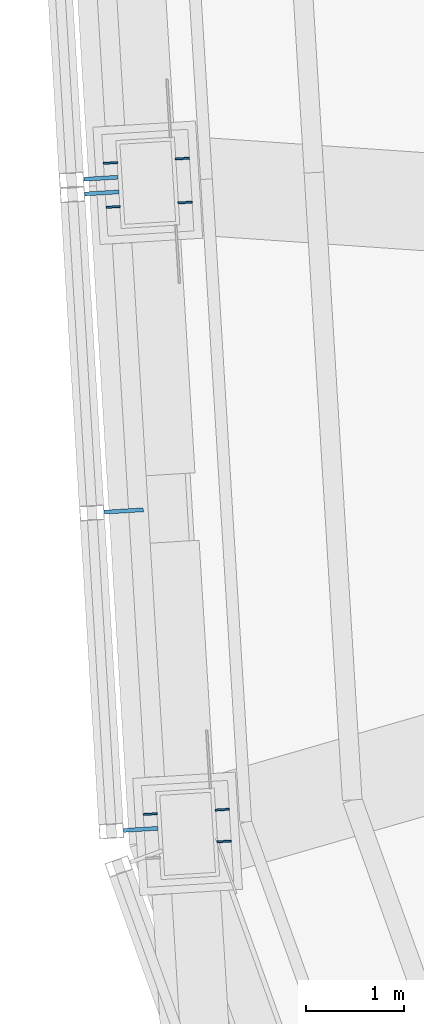
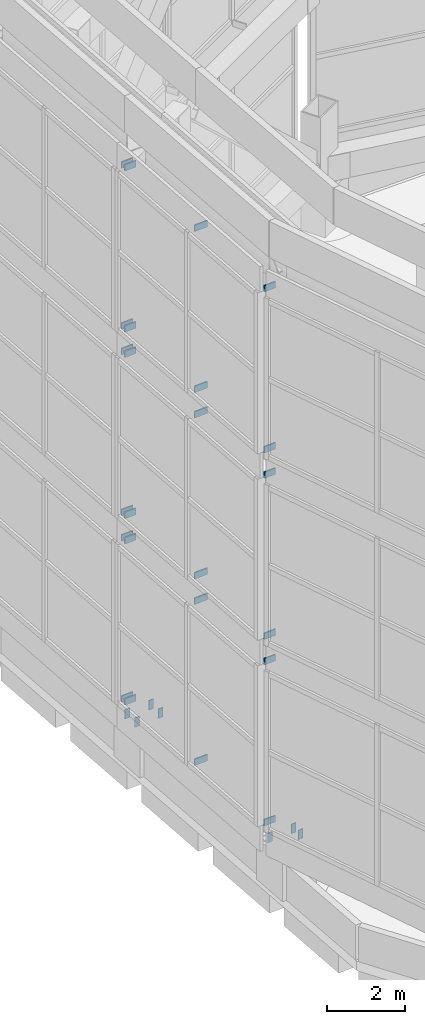
# One storey, part 33 of 46: 31 discrete accessories.
"""IFC4 building model written with IfcOpenShell, lengths in metres."""

from ifc_helpers import new_model, si_unit, direction, frame, origin, origin_2d, place, context, subcontext, project, spatial, rectangle, extrude, material, layer, layer_set, type_object, element, save


model = new_model("IFC4")

# Units and contexts
model_context = context("Model", 3, precision=1e-05, world=origin(), true_north=direction((0.0, 1.0)))
body_context = subcontext(model_context, "Body", "Model", "MODEL_VIEW")
ifc_project = project(units=[si_unit("LENGTHUNIT", "METRE"), si_unit("AREAUNIT", "SQUARE_METRE"), si_unit("VOLUMEUNIT", "CUBIC_METRE"), si_unit("PLANEANGLEUNIT", "RADIAN"), si_unit("MASSUNIT", "GRAM", prefix="KILO")], contexts=[model_context])

# Site, building, storey
site_placement = place(None, origin())
site = spatial("IfcSite", under=ifc_project, at=site_placement, CompositionType="ELEMENT")
building_placement = place(site_placement, origin())
building = spatial("IfcBuilding", under=site, at=building_placement, Name="Vanh Sen Convention Tower", CompositionType="ELEMENT")
storey_placement = place(building_placement, frame((0.0, 0.0, 305.0)))
storey = spatial("IfcBuildingStorey", under=building, at=storey_placement, Name="Roof level", CompositionType="ELEMENT", Elevation=305.0)

# Discrete accessories
ifc_material_1 = material(Name="Steel S355", Category="steel")
ifc_layer = layer(ifc_material_1, 0.02001953125)
ifc_layer_set = layer_set([ifc_layer], Name="Steel S355")
discrete_accessory_type_1 = type_object("IfcDiscreteAccessoryType", Name="Crown base plate stiffener 140 x 300 x 20", PredefinedType="USERDEFINED", material=ifc_layer_set)
for number, where, z_axis, x_axis, name in (
    (1, (-18.53369140625, 1.09375, 1.34521484375), (0.0, 0.0, 1.0), (0.998134798422, 0.061048539535, 0.0), "STIFFENER crown column 11 rib 1"),
    (2, (-18.561279296875, 1.54296875, 1.34521484375), (0.0, 0.0, 1.0), (0.998134798422, 0.061048539535, 0.0), "STIFFENER crown column 11 rib 2"),
    (3, (-19.267578125, 1.048828125, 1.34521484375), (0.0, 0.0, 1.0), (0.998134798422, 0.061048539535, 0.0), "STIFFENER crown column 11 rib 3"),
    (4, (-19.294921875, 1.498046875, 1.34521484375), (0.0, 0.0, 1.0), (0.998134798422, 0.061048539535, 0.0), "STIFFENER crown column 11 rib 4"),
    (5, (-18.134765625, -5.432373046875, 1.34521484375), (0.0, 0.0, 1.0), (0.998134798422, 0.061048539535, 0.0), "STIFFENER crown column 12 rib 1"),
    (6, (-18.154541015625, -5.10791015625, 1.34521484375), (0.0, 0.0, 1.0), (0.998134798422, 0.061048539535, 0.0), "STIFFENER crown column 12 rib 2"),
    (7, (-18.88818359375, -5.15283203125, 1.34521484375), (0.0, 0.0, 1.0), (0.998134798422, 0.061048539535, 0.0), "STIFFENER crown column 12 rib 4"),
):
    element("IfcDiscreteAccessory", number, at=place(storey_placement, frame(where, z_axis=z_axis, x_axis=x_axis)), inside=storey, type_object=discrete_accessory_type_1, Name=name, ObjectType="STIFFENER", PredefinedType="USERDEFINED", context=body_context, shape_type="SweptSolid", body=[
        extrude(rectangle(XDim=0.14501953125, YDim=0.02001953125, at=origin_2d()), origin(), (0.0, 0.0, 1.0), 0.300048828125),
    ])
ifc_material_2 = material(Name="Steel S355", Category="steel")
discrete_accessory_type_2 = type_object("IfcDiscreteAccessoryType", Name="Crown screen bracket 40 x 200", PredefinedType="BRACKET", material=ifc_material_2)
for number, where, z_axis, x_axis, name in (
    (8, (-19.39306640625, 1.341796875, 2.044921875), (0.0, 0.0, 1.0), (-0.998134691871, -0.061050281609, 0.0), "Crown screen bracket 10-1-3"),
    (9, (-19.39306640625, 1.341796875, 7.11328125), (0.0, 0.0, 1.0), (-0.998134691871, -0.061050281609, 0.0), "Crown screen bracket 10-1-6"),
    (10, (-19.39306640625, 1.341796875, 7.9130859375), (0.0, 0.0, 1.0), (-0.998134691871, -0.061050281609, 0.0), "Crown screen bracket 10-2-3"),
    (11, (-19.39306640625, 1.341796875, 12.98193359375), (0.0, 0.0, 1.0), (-0.998134691871, -0.061050281609, 0.0), "Crown screen bracket 10-2-6"),
    (12, (-19.39306640625, 1.341796875, 13.78173828125), (0.0, 0.0, 1.0), (-0.998134691871, -0.061050281609, 0.0), "Crown screen bracket 10-3-3"),
    (13, (-19.39306640625, 1.341796875, 18.85009765625), (0.0, 0.0, 1.0), (-0.998134691871, -0.061050281609, 0.0), "Crown screen bracket 10-3-6"),
    (14, (-19.3837890625, 1.19189453125, 2.044921875), (0.0, 0.0, 1.0), (-0.998134585316, -0.061052023682, 0.0), "Crown screen bracket 11-1-1"),
):
    element("IfcDiscreteAccessory", number, at=place(storey_placement, frame(where, z_axis=z_axis, x_axis=x_axis)), inside=storey, type_object=discrete_accessory_type_2, Name=name, PredefinedType="BRACKET", context=body_context, shape_type="SweptSolid", body=[
        extrude(rectangle(XDim=0.35009765625, YDim=0.0400390625, at=origin_2d()), origin(), (0.0, 0.0, 1.0), 0.199951171875),
    ])
discrete_accessory_1_placement = place(storey_placement, frame((-19.16015625, -2.056884765625, 2.044921875), z_axis=(0.0, 0.0, 1.0), x_axis=(-0.998134585316, -0.061052023682, 0.0)))
element("IfcDiscreteAccessory", 15, at=discrete_accessory_1_placement, inside=storey, type_object=discrete_accessory_type_2, Name="Crown screen bracket 11-1-2", PredefinedType="BRACKET", context=body_context, shape_type="SweptSolid", body=[
    extrude(rectangle(XDim=0.39990234375, YDim=0.0400390625, at=origin_2d()), origin(), (0.0, 0.0, 1.0), 0.199951171875),
])
for number, where, z_axis, x_axis, name in (
    (16, (-18.986328125, -5.30908203125, 2.044921875), (0.0, 0.0, 1.0), (-0.998134585316, -0.061052023682, 0.0), "Crown screen bracket 11-1-3"),
    (17, (-19.3837890625, 1.19189453125, 7.11328125), (0.0, 0.0, 1.0), (-0.998134585316, -0.061052023682, 0.0), "Crown screen bracket 11-1-4"),
):
    element("IfcDiscreteAccessory", number, at=place(storey_placement, frame(where, z_axis=z_axis, x_axis=x_axis)), inside=storey, type_object=discrete_accessory_type_2, Name=name, PredefinedType="BRACKET", context=body_context, shape_type="SweptSolid", body=[
        extrude(rectangle(XDim=0.35009765625, YDim=0.0400390625, at=origin_2d()), origin(), (0.0, 0.0, 1.0), 0.199951171875),
    ])
discrete_accessory_2_placement = place(storey_placement, frame((-19.16015625, -2.056884765625, 7.11328125), z_axis=(0.0, 0.0, 1.0), x_axis=(-0.998134585316, -0.061052023682, 0.0)))
element("IfcDiscreteAccessory", 18, at=discrete_accessory_2_placement, inside=storey, type_object=discrete_accessory_type_2, Name="Crown screen bracket 11-1-5", PredefinedType="BRACKET", context=body_context, shape_type="SweptSolid", body=[
    extrude(rectangle(XDim=0.39990234375, YDim=0.0400390625, at=origin_2d()), origin(), (0.0, 0.0, 1.0), 0.199951171875),
])
for number, where, z_axis, x_axis, name in (
    (19, (-18.986328125, -5.30908203125, 7.11328125), (0.0, 0.0, 1.0), (-0.998134585316, -0.061052023682, 0.0), "Crown screen bracket 11-1-6"),
    (20, (-19.3837890625, 1.19189453125, 7.9130859375), (0.0, 0.0, 1.0), (-0.998134585316, -0.061052023682, 0.0), "Crown screen bracket 11-2-1"),
):
    element("IfcDiscreteAccessory", number, at=place(storey_placement, frame(where, z_axis=z_axis, x_axis=x_axis)), inside=storey, type_object=discrete_accessory_type_2, Name=name, PredefinedType="BRACKET", context=body_context, shape_type="SweptSolid", body=[
        extrude(rectangle(XDim=0.35009765625, YDim=0.0400390625, at=origin_2d()), origin(), (0.0, 0.0, 1.0), 0.199951171875),
    ])
discrete_accessory_3_placement = place(storey_placement, frame((-19.16015625, -2.056884765625, 7.9130859375), z_axis=(0.0, 0.0, 1.0), x_axis=(-0.998134585316, -0.061052023682, 0.0)))
element("IfcDiscreteAccessory", 21, at=discrete_accessory_3_placement, inside=storey, type_object=discrete_accessory_type_2, Name="Crown screen bracket 11-2-2", PredefinedType="BRACKET", context=body_context, shape_type="SweptSolid", body=[
    extrude(rectangle(XDim=0.39990234375, YDim=0.0400390625, at=origin_2d()), origin(), (0.0, 0.0, 1.0), 0.199951171875),
])
for number, where, z_axis, x_axis, name in (
    (22, (-18.986328125, -5.30908203125, 7.9130859375), (0.0, 0.0, 1.0), (-0.998134585316, -0.061052023682, 0.0), "Crown screen bracket 11-2-3"),
    (23, (-19.3837890625, 1.19189453125, 12.98193359375), (0.0, 0.0, 1.0), (-0.998134585316, -0.061052023682, 0.0), "Crown screen bracket 11-2-4"),
):
    element("IfcDiscreteAccessory", number, at=place(storey_placement, frame(where, z_axis=z_axis, x_axis=x_axis)), inside=storey, type_object=discrete_accessory_type_2, Name=name, PredefinedType="BRACKET", context=body_context, shape_type="SweptSolid", body=[
        extrude(rectangle(XDim=0.35009765625, YDim=0.0400390625, at=origin_2d()), origin(), (0.0, 0.0, 1.0), 0.199951171875),
    ])
discrete_accessory_4_placement = place(storey_placement, frame((-19.16015625, -2.056884765625, 12.98193359375), z_axis=(0.0, 0.0, 1.0), x_axis=(-0.998134585316, -0.061052023682, 0.0)))
element("IfcDiscreteAccessory", 24, at=discrete_accessory_4_placement, inside=storey, type_object=discrete_accessory_type_2, Name="Crown screen bracket 11-2-5", PredefinedType="BRACKET", context=body_context, shape_type="SweptSolid", body=[
    extrude(rectangle(XDim=0.39990234375, YDim=0.0400390625, at=origin_2d()), origin(), (0.0, 0.0, 1.0), 0.199951171875),
])
for number, where, z_axis, x_axis, name in (
    (25, (-18.986328125, -5.30908203125, 12.98193359375), (0.0, 0.0, 1.0), (-0.998134585316, -0.061052023682, 0.0), "Crown screen bracket 11-2-6"),
    (26, (-19.3837890625, 1.19189453125, 13.78173828125), (0.0, 0.0, 1.0), (-0.998134585316, -0.061052023682, 0.0), "Crown screen bracket 11-3-1"),
):
    element("IfcDiscreteAccessory", number, at=place(storey_placement, frame(where, z_axis=z_axis, x_axis=x_axis)), inside=storey, type_object=discrete_accessory_type_2, Name=name, PredefinedType="BRACKET", context=body_context, shape_type="SweptSolid", body=[
        extrude(rectangle(XDim=0.35009765625, YDim=0.0400390625, at=origin_2d()), origin(), (0.0, 0.0, 1.0), 0.199951171875),
    ])
discrete_accessory_5_placement = place(storey_placement, frame((-19.16015625, -2.056884765625, 13.78173828125), z_axis=(0.0, 0.0, 1.0), x_axis=(-0.998134585316, -0.061052023682, 0.0)))
element("IfcDiscreteAccessory", 27, at=discrete_accessory_5_placement, inside=storey, type_object=discrete_accessory_type_2, Name="Crown screen bracket 11-3-2", PredefinedType="BRACKET", context=body_context, shape_type="SweptSolid", body=[
    extrude(rectangle(XDim=0.39990234375, YDim=0.0400390625, at=origin_2d()), origin(), (0.0, 0.0, 1.0), 0.199951171875),
])
for number, where, z_axis, x_axis, name in (
    (28, (-18.986328125, -5.30908203125, 13.78173828125), (0.0, 0.0, 1.0), (-0.998134585316, -0.061052023682, 0.0), "Crown screen bracket 11-3-3"),
    (29, (-19.3837890625, 1.19189453125, 18.85009765625), (0.0, 0.0, 1.0), (-0.998134585316, -0.061052023682, 0.0), "Crown screen bracket 11-3-4"),
):
    element("IfcDiscreteAccessory", number, at=place(storey_placement, frame(where, z_axis=z_axis, x_axis=x_axis)), inside=storey, type_object=discrete_accessory_type_2, Name=name, PredefinedType="BRACKET", context=body_context, shape_type="SweptSolid", body=[
        extrude(rectangle(XDim=0.35009765625, YDim=0.0400390625, at=origin_2d()), origin(), (0.0, 0.0, 1.0), 0.199951171875),
    ])
discrete_accessory_6_placement = place(storey_placement, frame((-19.16015625, -2.056884765625, 18.85009765625), z_axis=(0.0, 0.0, 1.0), x_axis=(-0.998134585316, -0.061052023682, 0.0)))
element("IfcDiscreteAccessory", 30, at=discrete_accessory_6_placement, inside=storey, type_object=discrete_accessory_type_2, Name="Crown screen bracket 11-3-5", PredefinedType="BRACKET", context=body_context, shape_type="SweptSolid", body=[
    extrude(rectangle(XDim=0.39990234375, YDim=0.0400390625, at=origin_2d()), origin(), (0.0, 0.0, 1.0), 0.199951171875),
])
discrete_accessory_7_placement = place(storey_placement, frame((-18.986328125, -5.30908203125, 18.85009765625), z_axis=(0.0, 0.0, 1.0), x_axis=(-0.998134585316, -0.061052023682, 0.0)))
element("IfcDiscreteAccessory", 31, at=discrete_accessory_7_placement, inside=storey, type_object=discrete_accessory_type_2, Name="Crown screen bracket 11-3-6", PredefinedType="BRACKET", context=body_context, shape_type="SweptSolid", body=[
    extrude(rectangle(XDim=0.35009765625, YDim=0.0400390625, at=origin_2d()), origin(), (0.0, 0.0, 1.0), 0.199951171875),
])

save(model, "model.ifc")
